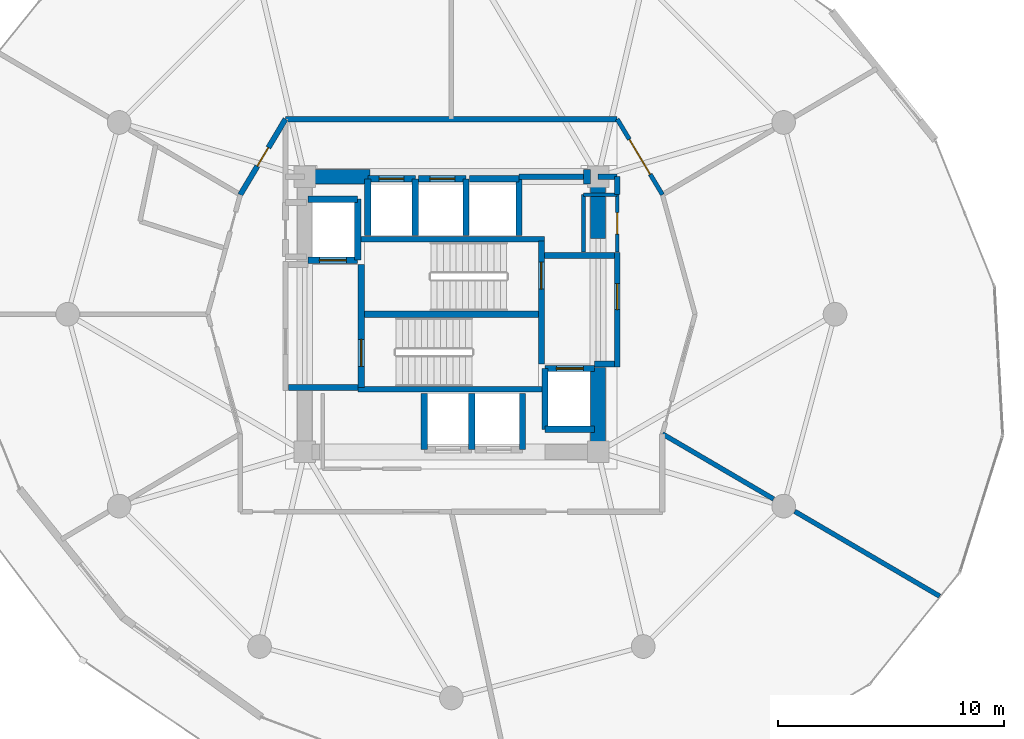
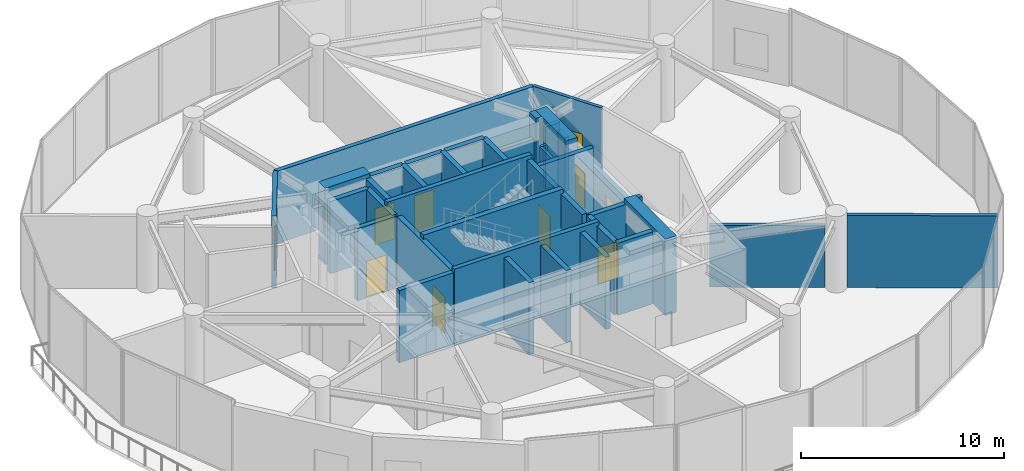
# One storey, part 25 of 28: 40 walls, 10 doors, 10 openings.
"""IFC4 building model written with IfcOpenShell, lengths in metres."""

from ifc_helpers import new_model, si_unit, direction, frame, frame_2d, origin, place, context, subcontext, project, spatial, rectangle, extrude, material, layer, layer_set, type_object, element, fill, save


model = new_model("IFC4")

# Units and contexts
model_context = context("Model", 3, precision=1e-05, world=origin(), true_north=direction((0.0, 1.0)))
body_context = subcontext(model_context, "Body", "Model", "MODEL_VIEW")
ifc_project = project(units=[si_unit("LENGTHUNIT", "METRE"), si_unit("AREAUNIT", "SQUARE_METRE"), si_unit("VOLUMEUNIT", "CUBIC_METRE"), si_unit("PLANEANGLEUNIT", "RADIAN"), si_unit("MASSUNIT", "GRAM", prefix="KILO")], contexts=[model_context])

# Site, building, storey
site_placement = place(None, origin())
site = spatial("IfcSite", under=ifc_project, at=site_placement, CompositionType="ELEMENT")
building_placement = place(site_placement, origin())
building = spatial("IfcBuilding", under=site, at=building_placement, Name="Solvirekh Grand Hotel", CompositionType="ELEMENT")
storey_placement = place(building_placement, frame((0.0, 0.0, 98.0)))
storey = spatial("IfcBuildingStorey", under=building, at=storey_placement, Name="L24", CompositionType="ELEMENT", Elevation=98.0)

# Walls
ifc_material_1 = material(Name="Concrete C50/60", Category="concrete")
ifc_layer_1 = layer(ifc_material_1, 0.35009765625)
ifc_layer_set_1 = layer_set([ifc_layer_1], Name="Concrete C50/60")
wall_type_1 = type_object("IfcWallType", Name="CoreDivWall_RC350", PredefinedType="SOLIDWALL", material=ifc_layer_set_1)
for number, where, z_axis, x_axis, name in (
    (1, (-4.1298828125, -3.324951171875, 0.0), (0.0, 0.0, 1.0), (1.0, 0.0, 0.0), "L24 core stair box wall ST-S"),
    (2, (-4.1298828125, 3.324951171875, 0.0), (0.0, 0.0, 1.0), (1.0, 0.0, 0.0), "L24 core stair box wall ST-N"),
):
    element("IfcWall", number, at=place(storey_placement, frame(where, z_axis=z_axis, x_axis=x_axis)), inside=storey, type_object=wall_type_1, Name=name, PredefinedType="SOLIDWALL", context=body_context, shape_type="SweptSolid", body=[
        extrude(rectangle(XDim=8.259765625, YDim=0.25, at=frame_2d((4.1298828125, 0.0))), origin(), (0.0, 0.0, 1.0), 4.60009765625),
    ])
ifc_material_2 = material(Name="Concrete C40/50", Category="concrete")
ifc_layer_2 = layer(ifc_material_2, 0.280029296875)
ifc_layer_set_2 = layer_set([ifc_layer_2], Name="Concrete C40/50")
wall_type_2 = type_object("IfcWallType", Name="CoreShaftWall_RC280", PredefinedType="SOLIDWALL", material=ifc_layer_set_2)
for number, where, z_axis, x_axis, name in (
    (3, (-1.199951171875, -3.5, 0.0), (0.0, 0.0, 1.0), (0.0, -1.0, 0.0), "L24 MP-1 hoistway W wall"),
    (4, (0.89990234375, -6.0, 0.0), (0.0, 0.0, 1.0), (0.0, 1.0, 0.0), "L24 MP-1 hoistway E wall"),
    (5, (3.14990234375, -6.0, 0.0), (0.0, 0.0, 1.0), (0.0, 1.0, 0.0), "L24 MP-2 hoistway E wall"),
):
    element("IfcWall", number, at=place(storey_placement, frame(where, z_axis=z_axis, x_axis=x_axis)), inside=storey, type_object=wall_type_2, Name=name, PredefinedType="SOLIDWALL", context=body_context, shape_type="SweptSolid", body=[
        extrude(rectangle(XDim=2.5, YDim=0.280029296875, at=frame_2d((1.25, 0.0))), origin(), (0.0, 0.0, 1.0), 4.35009765625),
    ])

# Wall, opening, door
wall_1_placement = place(storey_placement, frame((-1.60009765625, 6.0, 0.0), z_axis=(0.0, 0.0, 1.0), x_axis=(-1.0, 0.0, 0.0)))
wall_1 = element("IfcWall", 6, at=wall_1_placement, inside=storey, type_object=wall_type_2, Name="L24 HP-1 hoistway N wall", PredefinedType="SOLIDWALL", context=body_context, shape_type="SweptSolid", body=[
    extrude(rectangle(XDim=2.099853515625, YDim=0.280029296875, at=frame_2d((1.0498046875, 0.0))), origin(), (0.0, 0.0, 1.0), 4.35009765625),
])
opening_1_placement = place(wall_1_placement, frame((0.5, 0.0, 0.0)))
opening_1 = element("IfcOpeningElement", 7, at=opening_1_placement, cuts=wall_1, Name="Opening LD01", PredefinedType="OPENING", context=body_context, shape_type="SweptSolid", body=[
    extrude(rectangle(XDim=1.10009765625, YDim=2.199951171875, at=frame_2d((0.550048828125, 1.10009765625))), frame((0.0, 0.14990234375, 0.0), z_axis=(0.0, -1.0, 0.0), x_axis=(1.0, 0.0, 0.0)), (0.0, 0.0, 1.0), 0.300048828125),
])
ifc_material_3 = material(Name="Fire-Rated Steel Door Assembly", Category="steel")
door_type_1 = type_object("IfcDoorType", Name="Door_LiftLanding_1100X2200", OperationType="SLIDING_TO_LEFT", PredefinedType="DOOR", material=ifc_material_3)
door_1_placement = place(opening_1_placement, origin())
door_1 = element("IfcDoor", 8, at=door_1_placement, inside=storey, type_object=door_type_1, Name="L24 HP-1 sliding lift landing door", OperationType="SLIDING_TO_LEFT", OverallHeight=2.199951171875, OverallWidth=1.10009765625, PredefinedType="DOOR", context=body_context, shape_type="SweptSolid", body=[
    extrude(rectangle(XDim=1.10009765625, YDim=2.199951171875, at=frame_2d((0.550048828125, 1.10009765625))), frame((0.0, 0.02490234375, 0.0), z_axis=(0.0, -1.0, 0.0), x_axis=(1.0, 0.0, 0.0)), (0.0, 0.0, 1.0), 0.050048828125),
])
fill(opening_1, door_1)

# Walls
for number, where, z_axis, x_axis, name in (
    (9, (-3.699951171875, 6.0, 0.0), (0.0, 0.0, 1.0), (0.0, -1.0, 0.0), "L24 HP-1 hoistway W wall"),
    (10, (-1.60009765625, 3.5, 0.0), (0.0, 0.0, 1.0), (0.0, 1.0, 0.0), "L24 HP-1 hoistway E wall"),
):
    element("IfcWall", number, at=place(storey_placement, frame(where, z_axis=z_axis, x_axis=x_axis)), inside=storey, type_object=wall_type_2, Name=name, PredefinedType="SOLIDWALL", context=body_context, shape_type="SweptSolid", body=[
        extrude(rectangle(XDim=2.5, YDim=0.280029296875, at=frame_2d((1.25, 0.0))), origin(), (0.0, 0.0, 1.0), 4.35009765625),
    ])

# Wall, opening, door
wall_2_placement = place(storey_placement, frame((0.64990234375, 6.0, 0.0), z_axis=(0.0, 0.0, 1.0), x_axis=(-1.0, 0.0, 0.0)))
wall_2 = element("IfcWall", 11, at=wall_2_placement, inside=storey, type_object=wall_type_2, Name="L24 HP-2 hoistway N wall", PredefinedType="SOLIDWALL", context=body_context, shape_type="SweptSolid", body=[
    extrude(rectangle(XDim=2.099853515625, YDim=0.280029296875, at=frame_2d((1.0498046875, 0.0))), origin(), (0.0, 0.0, 1.0), 4.35009765625),
])
opening_2_placement = place(wall_2_placement, frame((0.5, 0.0, 0.0)))
opening_2 = element("IfcOpeningElement", 12, at=opening_2_placement, cuts=wall_2, Name="Opening LD01", PredefinedType="OPENING", context=body_context, shape_type="SweptSolid", body=[
    extrude(rectangle(XDim=1.10009765625, YDim=2.199951171875, at=frame_2d((0.550048828125, 1.10009765625))), frame((0.0, 0.14990234375, 0.0), z_axis=(0.0, -1.0, 0.0), x_axis=(1.0, 0.0, 0.0)), (0.0, 0.0, 1.0), 0.300048828125),
])
door_2_placement = place(opening_2_placement, origin())
door_2 = element("IfcDoor", 13, at=door_2_placement, inside=storey, type_object=door_type_1, Name="L24 HP-2 sliding lift landing door", OperationType="SLIDING_TO_LEFT", OverallHeight=2.199951171875, OverallWidth=1.10009765625, PredefinedType="DOOR", context=body_context, shape_type="SweptSolid", body=[
    extrude(rectangle(XDim=1.10009765625, YDim=2.199951171875, at=frame_2d((0.550048828125, 1.10009765625))), frame((0.0, 0.02490234375, 0.0), z_axis=(0.0, -1.0, 0.0), x_axis=(1.0, 0.0, 0.0)), (0.0, 0.0, 1.0), 0.050048828125),
])
fill(opening_2, door_2)

# Walls
wall_3_placement = place(storey_placement, frame((0.64990234375, 3.5, 0.0), z_axis=(0.0, 0.0, 1.0), x_axis=(0.0, 1.0, 0.0)))
element("IfcWall", 14, at=wall_3_placement, inside=storey, type_object=wall_type_2, Name="L24 HP-2 hoistway E wall", PredefinedType="SOLIDWALL", context=body_context, shape_type="SweptSolid", body=[
    extrude(rectangle(XDim=2.5, YDim=0.280029296875, at=frame_2d((1.25, 0.0))), origin(), (0.0, 0.0, 1.0), 4.35009765625),
])
wall_4_placement = place(storey_placement, frame((3.0, 6.0, 0.0), z_axis=(0.0, 0.0, 1.0), x_axis=(-1.0, 0.0, 0.0)))
element("IfcWall", 15, at=wall_4_placement, inside=storey, type_object=wall_type_2, Name="L24 EX-1 hoistway N wall", PredefinedType="SOLIDWALL", context=body_context, shape_type="SweptSolid", body=[
    extrude(rectangle(XDim=2.199951171875, YDim=0.280029296875, at=frame_2d((1.10009765625, 0.0))), origin(), (0.0, 0.0, 1.0), 4.35009765625),
])
wall_5_placement = place(storey_placement, frame((3.0, 3.5, 0.0), z_axis=(0.0, 0.0, 1.0), x_axis=(0.0, 1.0, 0.0)))
element("IfcWall", 16, at=wall_5_placement, inside=storey, type_object=wall_type_2, Name="L24 EX-1 hoistway E wall", PredefinedType="SOLIDWALL", context=body_context, shape_type="SweptSolid", body=[
    extrude(rectangle(XDim=2.5, YDim=0.280029296875, at=frame_2d((1.25, 0.0))), origin(), (0.0, 0.0, 1.0), 4.35009765625),
])

# Wall, opening, door
wall_6_placement = place(storey_placement, frame((-6.35009765625, 2.39990234375, 0.0), z_axis=(0.0, 0.0, 1.0), x_axis=(1.0, 0.0, 0.0)))
wall_6 = element("IfcWall", 17, at=wall_6_placement, inside=storey, type_object=wall_type_2, Name="L24 FL-1 hoistway S wall", PredefinedType="SOLIDWALL", context=body_context, shape_type="SweptSolid", body=[
    extrude(rectangle(XDim=2.2001953125, YDim=0.280029296875, at=frame_2d((1.10009765625, 0.0))), origin(), (0.0, 0.0, 1.0), 4.35009765625),
])
opening_3_placement = place(wall_6_placement, frame((0.5, 0.0, 0.0)))
opening_3 = element("IfcOpeningElement", 18, at=opening_3_placement, cuts=wall_6, Name="Opening LD02", PredefinedType="OPENING", context=body_context, shape_type="SweptSolid", body=[
    extrude(rectangle(XDim=1.199951171875, YDim=2.199951171875, at=frame_2d((0.60009765625, 1.10009765625))), frame((0.0, 0.14990234375, 0.0), z_axis=(0.0, -1.0, 0.0), x_axis=(1.0, 0.0, 0.0)), (0.0, 0.0, 1.0), 0.300048828125),
])
door_type_2 = type_object("IfcDoorType", Name="Door_LiftFF_1200X2200", OperationType="SLIDING_TO_LEFT", PredefinedType="DOOR", material=ifc_material_3)
door_3_placement = place(opening_3_placement, origin())
door_3 = element("IfcDoor", 19, at=door_3_placement, inside=storey, type_object=door_type_2, Name="L24 FL-1 sliding lift landing door", OperationType="SLIDING_TO_LEFT", OverallHeight=2.199951171875, OverallWidth=1.199951171875, PredefinedType="DOOR", context=body_context, shape_type="SweptSolid", body=[
    extrude(rectangle(XDim=1.199951171875, YDim=2.199951171875, at=frame_2d((0.60009765625, 1.10009765625))), frame((0.0, 0.02490234375, 0.0), z_axis=(0.0, -1.0, 0.0), x_axis=(1.0, 0.0, 0.0)), (0.0, 0.0, 1.0), 0.050048828125),
])
fill(opening_3, door_3)

# Walls
wall_7_placement = place(storey_placement, frame((-4.14990234375, 5.10009765625, 0.0), z_axis=(0.0, 0.0, 1.0), x_axis=(-1.0, 0.0, 0.0)))
element("IfcWall", 20, at=wall_7_placement, inside=storey, type_object=wall_type_2, Name="L24 FL-1 hoistway N wall", PredefinedType="SOLIDWALL", context=body_context, shape_type="SweptSolid", body=[
    extrude(rectangle(XDim=2.2001953125, YDim=0.280029296875, at=frame_2d((1.10009765625, 0.0))), origin(), (0.0, 0.0, 1.0), 4.35009765625),
])
wall_8_placement = place(storey_placement, frame((-4.14990234375, 2.39990234375, 0.0), z_axis=(0.0, 0.0, 1.0), x_axis=(0.0, 1.0, 0.0)))
element("IfcWall", 21, at=wall_8_placement, inside=storey, type_object=wall_type_2, Name="L24 FL-1 hoistway E wall", PredefinedType="SOLIDWALL", context=body_context, shape_type="SweptSolid", body=[
    extrude(rectangle(XDim=2.7001953125, YDim=0.280029296875, at=frame_2d((1.35009765625, 0.0))), origin(), (0.0, 0.0, 1.0), 4.35009765625),
])
wall_9_placement = place(storey_placement, frame((4.14990234375, -5.10009765625, 0.0), z_axis=(0.0, 0.0, 1.0), x_axis=(1.0, 0.0, 0.0)))
element("IfcWall", 22, at=wall_9_placement, inside=storey, type_object=wall_type_2, Name="L24 FL-2 hoistway S wall", PredefinedType="SOLIDWALL", context=body_context, shape_type="SweptSolid", body=[
    extrude(rectangle(XDim=2.2001953125, YDim=0.280029296875, at=frame_2d((1.10009765625, 0.0))), origin(), (0.0, 0.0, 1.0), 4.35009765625),
])

# Wall, opening, door
wall_10_placement = place(storey_placement, frame((6.35009765625, -2.39990234375, 0.0), z_axis=(0.0, 0.0, 1.0), x_axis=(-1.0, 0.0, 0.0)))
wall_10 = element("IfcWall", 23, at=wall_10_placement, inside=storey, type_object=wall_type_2, Name="L24 FL-2 hoistway N wall", PredefinedType="SOLIDWALL", context=body_context, shape_type="SweptSolid", body=[
    extrude(rectangle(XDim=2.2001953125, YDim=0.280029296875, at=frame_2d((1.10009765625, 0.0))), origin(), (0.0, 0.0, 1.0), 4.35009765625),
])
opening_4_placement = place(wall_10_placement, frame((0.5, 0.0, 0.0)))
opening_4 = element("IfcOpeningElement", 24, at=opening_4_placement, cuts=wall_10, Name="Opening LD02", PredefinedType="OPENING", context=body_context, shape_type="SweptSolid", body=[
    extrude(rectangle(XDim=1.199951171875, YDim=2.199951171875, at=frame_2d((0.60009765625, 1.10009765625))), frame((0.0, 0.14990234375, 0.0), z_axis=(0.0, -1.0, 0.0), x_axis=(1.0, 0.0, 0.0)), (0.0, 0.0, 1.0), 0.300048828125),
])
door_4_placement = place(opening_4_placement, origin())
door_4 = element("IfcDoor", 25, at=door_4_placement, inside=storey, type_object=door_type_2, Name="L24 FL-2 sliding lift landing door", OperationType="SLIDING_TO_LEFT", OverallHeight=2.199951171875, OverallWidth=1.199951171875, PredefinedType="DOOR", context=body_context, shape_type="SweptSolid", body=[
    extrude(rectangle(XDim=1.199951171875, YDim=2.199951171875, at=frame_2d((0.60009765625, 1.10009765625))), frame((0.0, 0.02490234375, 0.0), z_axis=(0.0, -1.0, 0.0), x_axis=(1.0, 0.0, 0.0)), (0.0, 0.0, 1.0), 0.050048828125),
])
fill(opening_4, door_4)

# Wall
wall_11_placement = place(storey_placement, frame((4.14990234375, -2.39990234375, 0.0), z_axis=(0.0, 0.0, 1.0), x_axis=(0.0, -1.0, 0.0)))
element("IfcWall", 26, at=wall_11_placement, inside=storey, type_object=wall_type_2, Name="L24 FL-2 hoistway W wall", PredefinedType="SOLIDWALL", context=body_context, shape_type="SweptSolid", body=[
    extrude(rectangle(XDim=2.7001953125, YDim=0.280029296875, at=frame_2d((1.35009765625, 0.0))), origin(), (0.0, 0.0, 1.0), 4.35009765625),
])

# Wall, opening, door
wall_12_placement = place(storey_placement, frame((-3.989990234375, -3.25, 0.0), z_axis=(0.0, 0.0, 1.0), x_axis=(0.0, 1.0, 0.0)))
wall_12 = element("IfcWall", 27, at=wall_12_placement, inside=storey, type_object=wall_type_2, Name="L24 west stair landing enclosure wall", PredefinedType="SOLIDWALL", context=body_context, shape_type="SweptSolid", body=[
    extrude(rectangle(XDim=5.4599609375, YDim=0.280029296875, at=frame_2d((2.72998046875, 0.0))), origin(), (0.0, 0.0, 1.0), 4.35009765625),
])
opening_5_placement = place(wall_12_placement, frame((0.93701171875, 0.0, 0.0)))
opening_5 = element("IfcOpeningElement", 28, at=opening_5_placement, cuts=wall_12, Name="Opening D05", PredefinedType="OPENING", context=body_context, shape_type="SweptSolid", body=[
    extrude(rectangle(XDim=1.199951171875, YDim=2.199951171875, at=frame_2d((0.60009765625, 1.10009765625))), frame((0.0, 0.14990234375, 0.0), z_axis=(0.0, -1.0, 0.0), x_axis=(1.0, 0.0, 0.0)), (0.0, 0.0, 1.0), 0.300048828125),
])
door_type_3 = type_object("IfcDoorType", Name="Door_StairCore_1200X2200", OperationType="NOTDEFINED", PredefinedType="DOOR", material=ifc_material_3)
door_5_placement = place(opening_5_placement, origin())
door_5 = element("IfcDoor", 29, at=door_5_placement, inside=storey, type_object=door_type_3, Name="L24 exit stair ST-1 fire door", OperationType="SINGLE_SWING_LEFT", OverallHeight=2.199951171875, OverallWidth=1.199951171875, PredefinedType="DOOR", context=body_context, shape_type="SweptSolid", body=[
    extrude(rectangle(XDim=1.199951171875, YDim=2.199951171875, at=frame_2d((0.60009765625, 1.10009765625))), frame((0.0, 0.02490234375, 0.0), z_axis=(0.0, -1.0, 0.0), x_axis=(1.0, 0.0, 0.0)), (0.0, 0.0, 1.0), 0.050048828125),
])
fill(opening_5, door_5)

wall_13_placement = place(storey_placement, frame((3.989990234375, -2.2099609375, 0.0), z_axis=(0.0, 0.0, 1.0), x_axis=(0.0, 1.0, 0.0)))
wall_13 = element("IfcWall", 30, at=wall_13_placement, inside=storey, type_object=wall_type_2, Name="L24 east stair landing enclosure wall", PredefinedType="SOLIDWALL", context=body_context, shape_type="SweptSolid", body=[
    extrude(rectangle(XDim=5.4599609375, YDim=0.280029296875, at=frame_2d((2.72998046875, 0.0))), origin(), (0.0, 0.0, 1.0), 4.35009765625),
])
opening_6_placement = place(wall_13_placement, frame((3.322998046875, 0.0, 0.0)))
opening_6 = element("IfcOpeningElement", 31, at=opening_6_placement, cuts=wall_13, Name="Opening D05", PredefinedType="OPENING", context=body_context, shape_type="SweptSolid", body=[
    extrude(rectangle(XDim=1.199951171875, YDim=2.199951171875, at=frame_2d((0.60009765625, 1.10009765625))), frame((0.0, 0.14990234375, 0.0), z_axis=(0.0, -1.0, 0.0), x_axis=(1.0, 0.0, 0.0)), (0.0, 0.0, 1.0), 0.300048828125),
])
door_6_placement = place(opening_6_placement, origin())
door_6 = element("IfcDoor", 32, at=door_6_placement, inside=storey, type_object=door_type_3, Name="L24 exit stair ST-2 fire door", OperationType="SINGLE_SWING_RIGHT", OverallHeight=2.199951171875, OverallWidth=1.199951171875, PredefinedType="DOOR", context=body_context, shape_type="SweptSolid", body=[
    extrude(rectangle(XDim=1.199951171875, YDim=2.199951171875, at=frame_2d((0.60009765625, 1.10009765625))), frame((0.0, 0.02490234375, 0.0), z_axis=(0.0, -1.0, 0.0), x_axis=(1.0, 0.0, 0.0)), (0.0, 0.0, 1.0), 0.050048828125),
])
fill(opening_6, door_6)

# Walls
ifc_layer_3 = layer(ifc_material_1, 0.64990234375)
ifc_layer_set_3 = layer_set([ifc_layer_3], Name="Concrete C50/60")
wall_type_3 = type_object("IfcWallType", Name="CoreWall_RC650", PredefinedType="SHEAR", material=ifc_layer_set_3)
wall_14_placement = place(storey_placement, frame((-3.989990234375, 0.0, 0.0), z_axis=(0.0, 0.0, 1.0), x_axis=(1.0, 0.0, 0.0)))
element("IfcWall", 33, at=wall_14_placement, inside=storey, type_object=wall_type_3, Name="L24 central stair-spine shear wall", PredefinedType="SHEAR", context=body_context, shape_type="SweptSolid", body=[
    extrude(rectangle(XDim=7.97998046875, YDim=0.300048828125, at=frame_2d((3.989990234375, 0.0))), origin(), (0.0, 0.0, 1.0), 4.60009765625),
])
wall_15_placement = place(storey_placement, frame((-6.175048828125, 6.10009765625, 0.0), z_axis=(0.0, 0.0, 1.0), x_axis=(1.0, 0.0, 0.0)))
element("IfcWall", 34, at=wall_15_placement, inside=storey, type_object=wall_type_3, Name="L24 core corner shear wall NW-N", PredefinedType="SHEAR", context=body_context, shape_type="SweptSolid", body=[
    extrude(rectangle(XDim=2.574951171875, YDim=0.64990234375, at=frame_2d((1.28759765625, 0.0))), origin(), (0.0, 0.0, 1.0), 4.60009765625),
])
wall_16_placement = place(storey_placement, frame((5.85009765625, 6.10009765625, 0.0), z_axis=(0.0, 0.0, 1.0), x_axis=(1.0, 0.0, 0.0)))
element("IfcWall", 35, at=wall_16_placement, inside=storey, type_object=wall_type_3, Name="L24 core corner shear wall NE-N", PredefinedType="SHEAR", context=body_context, shape_type="SweptSolid", body=[
    extrude(rectangle(XDim=0.324951171875, YDim=0.64990234375, at=frame_2d((0.16259765625, 0.0))), origin(), (0.0, 0.0, 1.0), 4.60009765625),
])
wall_17_placement = place(storey_placement, frame((6.5, -6.425048828125, 0.0), z_axis=(0.0, 0.0, 1.0), x_axis=(0.0, 1.0, 0.0)))
element("IfcWall", 36, at=wall_17_placement, inside=storey, type_object=wall_type_3, Name="L24 core corner shear wall ES-E", PredefinedType="SHEAR", context=body_context, shape_type="SweptSolid", body=[
    extrude(rectangle(XDim=4.074951171875, YDim=0.64990234375, at=frame_2d((2.03759765625, 0.0))), origin(), (0.0, 0.0, 1.0), 4.60009765625),
])
wall_18_placement = place(storey_placement, frame((6.5, 3.35009765625, 0.0), z_axis=(0.0, 0.0, 1.0), x_axis=(0.0, 1.0, 0.0)))
element("IfcWall", 37, at=wall_18_placement, inside=storey, type_object=wall_type_3, Name="L24 core corner shear wall EN-E", PredefinedType="SHEAR", context=body_context, shape_type="SweptSolid", body=[
    extrude(rectangle(XDim=3.074951171875, YDim=0.64990234375, at=frame_2d((1.53759765625, 0.0))), origin(), (0.0, 0.0, 1.0), 4.60009765625),
])

# Wall, opening, door
ifc_material_4 = material(Name="Acoustic Gypsum Partition Assembly")
ifc_layer_4 = layer(ifc_material_4, 0.1650390625)
ifc_layer_set_4 = layer_set([ifc_layer_4], Name="Acoustic Gypsum Partition Assembly")
wall_type_4 = type_object("IfcWallType", Name="Part_BOH_165", PredefinedType="PARTITIONING", material=ifc_layer_set_4)
wall_19_placement = place(storey_placement, frame((7.35009765625, 2.75, 0.0), z_axis=(0.0, 0.0, 1.0), x_axis=(0.0, 1.0, 0.0)))
wall_19 = element("IfcWall", 38, at=wall_19_placement, inside=storey, type_object=wall_type_4, Name="L24 L24 Core Housekeeping & Linen Room wall 2", PredefinedType="PARTITIONING", context=body_context, shape_type="SweptSolid", body=[
    extrude(rectangle(XDim=2.550048828125, YDim=0.1650390625, at=frame_2d((1.27490234375, 0.0))), origin(), (0.0, 0.0, 1.0), 3.235107421875),
])
opening_7_placement = place(wall_19_placement, frame((0.800048828125, 0.0, 0.0)))
opening_7 = element("IfcOpeningElement", 39, at=opening_7_placement, cuts=wall_19, Name="Opening D10", PredefinedType="OPENING", context=body_context, shape_type="SweptSolid", body=[
    extrude(rectangle(XDim=0.949951171875, YDim=2.10009765625, at=frame_2d((0.47509765625, 1.050048828125))), frame((0.0, 0.092529296875, 0.0), z_axis=(0.0, -1.0, 0.0), x_axis=(1.0, 0.0, 0.0)), (0.0, 0.0, 1.0), 0.18505859375),
])
ifc_material_5 = material(Name="Anodized Bronze Aluminium 6063-T6", Category="aluminium")
door_type_4 = type_object("IfcDoorType", Name="Door_RoomInt_950X2100", OperationType="NOTDEFINED", PredefinedType="DOOR", material=ifc_material_5)
door_7_placement = place(opening_7_placement, origin())
door_7 = element("IfcDoor", 40, at=door_7_placement, inside=storey, type_object=door_type_4, Name="L24 L24 Core Housekeeping & Linen Room door", OperationType="SINGLE_SWING_RIGHT", OverallHeight=2.10009765625, OverallWidth=0.949951171875, PredefinedType="DOOR", context=body_context, shape_type="SweptSolid", body=[
    extrude(rectangle(XDim=0.949951171875, YDim=2.10009765625, at=frame_2d((0.47509765625, 1.050048828125))), frame((0.0, 0.02490234375, 0.0), z_axis=(0.0, -1.0, 0.0), x_axis=(1.0, 0.0, 0.0)), (0.0, 0.0, 1.0), 0.050048828125),
])
fill(opening_7, door_7)

# Walls
wall_20_placement = place(storey_placement, frame((7.35009765625, 5.300048828125, 0.0), z_axis=(0.0, 0.0, 1.0), x_axis=(-1.0, 0.0, 0.0)))
element("IfcWall", 41, at=wall_20_placement, inside=storey, type_object=wall_type_4, Name="L24 L24 Core Housekeeping & Linen Room wall 3", PredefinedType="PARTITIONING", context=body_context, shape_type="SweptSolid", body=[
    extrude(rectangle(XDim=1.5, YDim=0.1650390625, at=frame_2d((0.75, 0.0))), origin(), (0.0, 0.0, 1.0), 3.235107421875),
])
wall_21_placement = place(storey_placement, frame((5.85009765625, 5.300048828125, 0.0), z_axis=(0.0, 0.0, 1.0), x_axis=(0.0, -1.0, 0.0)))
element("IfcWall", 42, at=wall_21_placement, inside=storey, type_object=wall_type_4, Name="L24 L24 Core Housekeeping & Linen Room wall 4", PredefinedType="PARTITIONING", context=body_context, shape_type="SweptSolid", body=[
    extrude(rectangle(XDim=2.550048828125, YDim=0.1650390625, at=frame_2d((1.27490234375, 0.0))), origin(), (0.0, 0.0, 1.0), 3.235107421875),
])

# Wall, opening, door
ifc_layer_5 = layer(ifc_material_4, 0.239990234375)
ifc_layer_set_5 = layer_set([ifc_layer_5], Name="Acoustic Gypsum Partition Assembly")
wall_type_5 = type_object("IfcWallType", Name="Part_Corridor_240", PredefinedType="PARTITIONING", material=ifc_layer_set_5)
wall_22_placement = place(storey_placement, frame((7.35009765625, -2.340087890625, 0.0), z_axis=(0.0, 0.0, 1.0), x_axis=(0.0, 1.0, 0.0)))
wall_22 = element("IfcWall", 43, at=wall_22_placement, inside=storey, type_object=wall_type_5, Name="L24 east firefighting lobby smoke screen wall", PredefinedType="PARTITIONING", context=body_context, shape_type="SweptSolid", body=[
    extrude(rectangle(XDim=5.070068359375, YDim=0.239990234375, at=frame_2d((2.53515625, 0.0))), origin(), (0.0, 0.0, 1.0), 3.235107421875),
])
opening_8_placement = place(wall_22_placement, frame((2.548095703125, 0.0, 0.0)))
opening_8 = element("IfcOpeningElement", 44, at=opening_8_placement, cuts=wall_22, Name="Opening D06", PredefinedType="OPENING", context=body_context, shape_type="SweptSolid", body=[
    extrude(rectangle(XDim=1.14990234375, YDim=2.199951171875, at=frame_2d((0.574951171875, 1.10009765625))), frame((0.0, 0.1298828125, 0.0), z_axis=(0.0, -1.0, 0.0), x_axis=(1.0, 0.0, 0.0)), (0.0, 0.0, 1.0), 0.260009765625),
])
door_type_5 = type_object("IfcDoorType", Name="Door_FFLobby_1150X2200", OperationType="NOTDEFINED", PredefinedType="DOOR", material=ifc_material_3)
door_8_placement = place(opening_8_placement, origin())
door_8 = element("IfcDoor", 45, at=door_8_placement, inside=storey, type_object=door_type_5, Name="L24 east firefighting lobby smoke door", OperationType="SINGLE_SWING_RIGHT", OverallHeight=2.199951171875, OverallWidth=1.14990234375, PredefinedType="DOOR", context=body_context, shape_type="SweptSolid", body=[
    extrude(rectangle(XDim=1.14990234375, YDim=2.199951171875, at=frame_2d((0.574951171875, 1.10009765625))), frame((0.0, 0.02490234375, 0.0), z_axis=(0.0, -1.0, 0.0), x_axis=(1.0, 0.0, 0.0)), (0.0, 0.0, 1.0), 0.050048828125),
])
fill(opening_8, door_8)

# Walls
wall_23_placement = place(storey_placement, frame((-7.35009765625, 8.64990234375, 0.0), z_axis=(0.0, 0.0, 1.0), x_axis=(1.0, 0.0, 0.0)))
element("IfcWall", 46, at=wall_23_placement, inside=storey, type_object=wall_type_5, Name="L24 north lift lobby enclosure wall", PredefinedType="PARTITIONING", context=body_context, shape_type="SweptSolid", body=[
    extrude(rectangle(XDim=14.7001953125, YDim=0.239990234375, at=frame_2d((7.35009765625, 0.0))), origin(), (0.0, 0.0, 1.0), 4.35009765625),
])
wall_24_placement = place(storey_placement, frame((3.0, 6.10009765625, 0.0), z_axis=(0.0, 0.0, 1.0), x_axis=(1.0, 0.0, 0.0)))
element("IfcWall", 47, at=wall_24_placement, inside=storey, type_object=wall_type_5, Name="L24 north core shaft infill wall", PredefinedType="PARTITIONING", context=body_context, shape_type="SweptSolid", body=[
    extrude(rectangle(XDim=2.85009765625, YDim=0.239990234375, at=frame_2d((1.425048828125, 0.0))), origin(), (0.0, 0.0, 1.0), 3.235107421875),
])
wall_25_placement = place(storey_placement, frame((7.35009765625, 5.300048828125, 0.0), z_axis=(0.0, 0.0, 1.0), x_axis=(0.0, 1.0, 0.0)))
element("IfcWall", 48, at=wall_25_placement, inside=storey, type_object=wall_type_5, Name="L24 NE core cheek closure wall", PredefinedType="PARTITIONING", context=body_context, shape_type="SweptSolid", body=[
    extrude(rectangle(XDim=0.800048828125, YDim=0.239990234375, at=frame_2d((0.39990234375, 0.0))), origin(), (0.0, 0.0, 1.0), 3.235107421875),
])
wall_26_placement = place(storey_placement, frame((6.5, 6.10009765625, 0.0), z_axis=(0.0, 0.0, 1.0), x_axis=(1.0, 0.0, 0.0)))
element("IfcWall", 49, at=wall_26_placement, inside=storey, type_object=wall_type_5, Name="L24 NE core corner tie wall", PredefinedType="PARTITIONING", context=body_context, shape_type="SweptSolid", body=[
    extrude(rectangle(XDim=0.85009765625, YDim=0.239990234375, at=frame_2d((0.425048828125, 0.0))), origin(), (0.0, 0.0, 1.0), 3.718017578125),
])

# Wall, opening, door
wall_27_placement = place(storey_placement, frame((-9.35302734375, 5.300048828125, 0.0), z_axis=(0.0, 0.0, 1.0), x_axis=(0.513179710324, 0.858281180565, 0.0)))
wall_27 = element("IfcWall", 50, at=wall_27_placement, inside=storey, type_object=wall_type_5, Name="L24 Mid-Zone Concierge & Executive Office corridor wall", PredefinedType="PARTITIONING", context=body_context, shape_type="SweptSolid", body=[
    extrude(rectangle(XDim=3.903076171875, YDim=0.239990234375, at=frame_2d((1.95166015625, 0.0))), origin(), (0.0, 0.0, 1.0), 4.35009765625),
])
opening_9_placement = place(wall_27_placement, frame((1.47705078125, 0.0, 0.0)))
opening_9 = element("IfcOpeningElement", 51, at=opening_9_placement, cuts=wall_27, Name="Opening D10", PredefinedType="OPENING", context=body_context, shape_type="SweptSolid", body=[
    extrude(rectangle(XDim=0.949951171875, YDim=2.10009765625, at=frame_2d((0.47509765625, 1.050048828125))), frame((0.0, 0.1298828125, 0.0), z_axis=(0.0, -1.0, 0.0), x_axis=(1.0, 0.0, 0.0)), (0.0, 0.0, 1.0), 0.260009765625),
])
door_9_placement = place(opening_9_placement, origin())
door_9 = element("IfcDoor", 52, at=door_9_placement, inside=storey, type_object=door_type_4, Name="L24 Mid-Zone Concierge & Executive Office entrance door", OperationType="SINGLE_SWING_LEFT", OverallHeight=2.10009765625, OverallWidth=0.949951171875, PredefinedType="DOOR", context=body_context, shape_type="SweptSolid", body=[
    extrude(rectangle(XDim=0.949951171875, YDim=2.10009765625, at=frame_2d((0.47509765625, 1.050048828125))), frame((0.0, 0.02490234375, 0.0), z_axis=(0.0, -1.0, 0.0), x_axis=(1.0, 0.0, 0.0)), (0.0, 0.0, 1.0), 0.050048828125),
])
fill(opening_9, door_9)

ifc_layer_6 = layer(ifc_material_4, 0.18994140625)
ifc_layer_set_6 = layer_set([ifc_layer_6], Name="Acoustic Gypsum Partition Assembly")
wall_type_6 = type_object("IfcWallType", Name="Part_GuestDemise_190", PredefinedType="PARTITIONING", material=ifc_layer_set_6)
wall_28_placement = place(storey_placement, frame((7.35009765625, 8.64990234375, 0.0), z_axis=(0.0, 0.0, 1.0), x_axis=(0.513179710324, -0.858281180565, 0.0)))
wall_28 = element("IfcWall", 53, at=wall_28_placement, inside=storey, type_object=wall_type_6, Name="L24 Sky Lobby corridor wall", PredefinedType="PARTITIONING", context=body_context, shape_type="SweptSolid", body=[
    extrude(rectangle(XDim=3.903076171875, YDim=0.18994140625, at=frame_2d((1.95166015625, 0.0))), origin(), (0.0, 0.0, 1.0), 4.35009765625),
])
opening_10_placement = place(wall_28_placement, frame((1.052001953125, 0.0, 0.0)))
opening_10 = element("IfcOpeningElement", 54, at=opening_10_placement, cuts=wall_28, Name="Opening D11", PredefinedType="OPENING", context=body_context, shape_type="SweptSolid", body=[
    extrude(rectangle(XDim=1.800048828125, YDim=2.39990234375, at=frame_2d((0.89990234375, 1.199951171875))), frame((0.0, 0.10498046875, 0.0), z_axis=(0.0, -1.0, 0.0), x_axis=(1.0, 0.0, 0.0)), (0.0, 0.0, 1.0), 0.2099609375),
])
door_type_6 = type_object("IfcDoorType", Name="Door_Ballroom_1800X2400", OperationType="NOTDEFINED", PredefinedType="DOOR", material=ifc_material_3)
door_10_placement = place(opening_10_placement, origin())
door_10 = element("IfcDoor", 55, at=door_10_placement, inside=storey, type_object=door_type_6, Name="L24 Sky Lobby entrance door", OperationType="SINGLE_SWING_RIGHT", OverallHeight=2.39990234375, OverallWidth=1.800048828125, PredefinedType="DOOR", context=body_context, shape_type="SweptSolid", body=[
    extrude(rectangle(XDim=1.800048828125, YDim=2.39990234375, at=frame_2d((0.89990234375, 1.199951171875))), frame((0.0, 0.02490234375, 0.0), z_axis=(0.0, -1.0, 0.0), x_axis=(1.0, 0.0, 0.0)), (0.0, 0.0, 1.0), 0.050048828125),
])
fill(opening_10, door_10)

# Walls
ifc_layer_7 = layer(ifc_material_4, 0.260009765625)
ifc_layer_set_7 = layer_set([ifc_layer_7], Name="Acoustic Gypsum Partition Assembly")
wall_type_7 = type_object("IfcWallType", Name="Part_LobbyFF_260", PredefinedType="PARTITIONING", material=ifc_layer_set_7)
wall_29_placement = place(storey_placement, frame((-7.22509765625, -3.25, 0.0), z_axis=(0.0, 0.0, 1.0), x_axis=(1.0, 0.0, 0.0)))
element("IfcWall", 56, at=wall_29_placement, inside=storey, type_object=wall_type_7, Name="L24 west firefighting lobby south partition", PredefinedType="PARTITIONING", context=body_context, shape_type="SweptSolid", body=[
    extrude(rectangle(XDim=3.09521484375, YDim=0.260009765625, at=frame_2d((1.547607421875, 0.0))), origin(), (0.0, 0.0, 1.0), 4.35009765625),
])
wall_30_placement = place(storey_placement, frame((6.35009765625, -2.2099609375, 0.0), z_axis=(0.0, 0.0, 1.0), x_axis=(1.0, 0.0, 0.0)))
element("IfcWall", 57, at=wall_30_placement, inside=storey, type_object=wall_type_7, Name="L24 east firefighting lobby SE cheek", PredefinedType="PARTITIONING", context=body_context, shape_type="SweptSolid", body=[
    extrude(rectangle(XDim=0.875, YDim=0.260009765625, at=frame_2d((0.4375, 0.0))), origin(), (0.0, 0.0, 1.0), 4.35009765625),
])
wall_31_placement = place(storey_placement, frame((4.1298828125, 2.60009765625, 0.0), z_axis=(0.0, 0.0, 1.0), x_axis=(1.0, 0.0, 0.0)))
element("IfcWall", 58, at=wall_31_placement, inside=storey, type_object=wall_type_7, Name="L24 east firefighting lobby north partition", PredefinedType="PARTITIONING", context=body_context, shape_type="SweptSolid", body=[
    extrude(rectangle(XDim=3.09521484375, YDim=0.260009765625, at=frame_2d((1.547607421875, 0.0))), origin(), (0.0, 0.0, 1.0), 4.35009765625),
])
ifc_layer_8 = layer(ifc_material_4, 0.2099609375)
ifc_layer_set_8 = layer_set([ifc_layer_8], Name="Acoustic Gypsum Partition Assembly")
wall_type_8 = type_object("IfcWallType", Name="Part_SuiteDemise_210", PredefinedType="PARTITIONING", material=ifc_layer_set_8)
wall_32_placement = place(storey_placement, frame((9.35302734375, -5.300048828125, 0.0), z_axis=(0.0, 0.0, 1.0), x_axis=(0.862932126693, -0.505319843981, 0.0)))
element("IfcWall", 59, at=wall_32_placement, inside=storey, type_object=wall_type_8, Name="L24 radial demising wall 12 (A)", PredefinedType="PARTITIONING", context=body_context, shape_type="SweptSolid", body=[
    extrude(rectangle(XDim=5.707275390625, YDim=0.2099609375, at=frame_2d((2.853515625, 0.0))), origin(), (0.0, 0.0, 1.0), 3.718017578125),
])
wall_33_placement = place(storey_placement, frame((15.215087890625, -8.73193359375, 0.0), z_axis=(0.0, 0.0, 1.0), x_axis=(0.862954092822, -0.505282330665, 0.0)))
element("IfcWall", 60, at=wall_33_placement, inside=storey, type_object=wall_type_8, Name="L24 radial demising wall 12 (B)", PredefinedType="PARTITIONING", context=body_context, shape_type="SweptSolid", body=[
    extrude(rectangle(XDim=7.439453125, YDim=0.2099609375, at=frame_2d((3.7197265625, 0.0))), origin(), (0.0, 0.0, 1.0), 4.35009765625),
])

save(model, "model.ifc")
